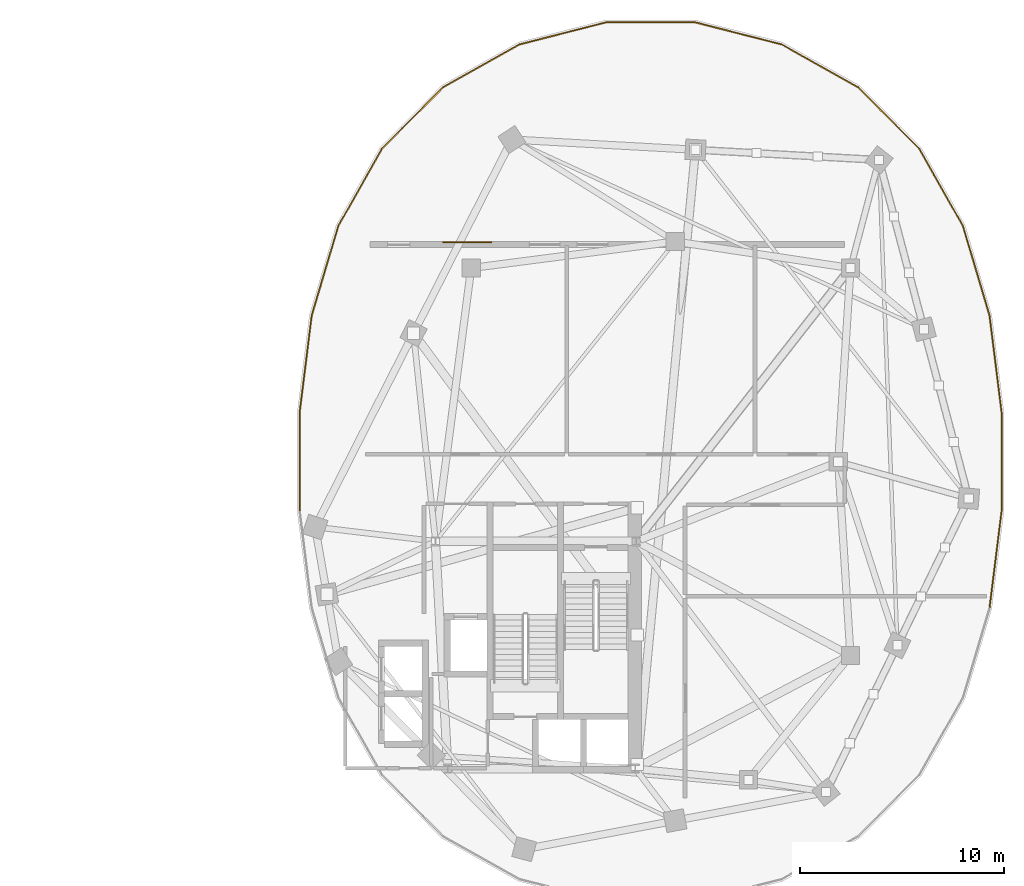
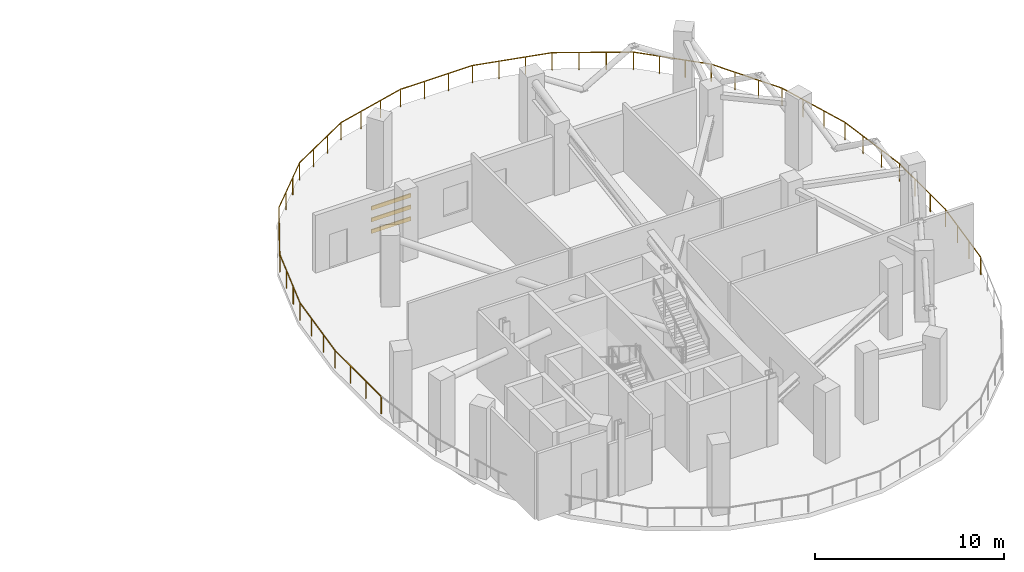
# One storey, part 14 of 14: 8 railings, 3 shading devices.
"""IFC4 building model written with IfcOpenShell, lengths in metres."""

from ifc_helpers import new_model, si_unit, direction, frame, origin, origin_2d, place, context, subcontext, project, spatial, rectangle, extrude, material, material_profile, profile_set, type_object, element, save


model = new_model("IFC4")

# Units and contexts
model_context = context("Model", 3, precision=1e-05, world=origin(), true_north=direction((0.0, 1.0)))
body_context = subcontext(model_context, "Body", "Model", "MODEL_VIEW")
ifc_project = project(units=[si_unit("LENGTHUNIT", "METRE"), si_unit("AREAUNIT", "SQUARE_METRE"), si_unit("VOLUMEUNIT", "CUBIC_METRE"), si_unit("PLANEANGLEUNIT", "RADIAN"), si_unit("MASSUNIT", "GRAM", prefix="KILO"), si_unit("THERMODYNAMICTEMPERATUREUNIT", "KELVIN"), si_unit("POWERUNIT", "WATT")], contexts=[model_context])

# Site, building, storey
site_placement = place(None, origin())
site = spatial("IfcSite", under=ifc_project, at=site_placement, CompositionType="ELEMENT")
building_placement = place(site_placement, origin())
building = spatial("IfcBuilding", under=site, at=building_placement, Name="Cundina Bronze Exchange", CompositionType="ELEMENT")
storey_placement = place(building_placement, frame((0.0, 0.0, 187.199951171875)))
storey = spatial("IfcBuildingStorey", under=building, at=storey_placement, Name="L49", CompositionType="ELEMENT", Elevation=187.199951171875)

# Railings
ifc_material = material(Name="Anodised Bronze Aluminium 6063-T6", Category="aluminium")
railing_type = type_object("IfcRailingType", Name="RLG-GRD-1150", PredefinedType="GUARDRAIL", material=ifc_material)
railing_1_placement = place(storey_placement, frame((49.208984375, 2.43359375, 0.0)))
element("IfcRailing", 1, at=railing_1_placement, inside=storey, type_object=railing_type, Name="L49 Perimeter Safety Guardrail 01", PredefinedType="GUARDRAIL", context=body_context, shape_type="SweptSolid", body=[
    extrude(rectangle(XDim=0.048095703125, YDim=0.048095703125, at=origin_2d()), frame((0.0, 0.0, 1.1259765625), z_axis=(0.0, -1.0, 0.0), x_axis=(1.0, 0.0, 0.0)), (0.0, 0.0, 1.0), 4.8671875),
    extrude(rectangle(XDim=0.048095703125, YDim=0.048095703125, at=origin_2d()), frame((0.0, -4.8671875, 1.1259765625), z_axis=(-0.123846086367, -0.992301439529, 0.0), x_axis=(0.992301439529, -0.123846086367, 0.0)), (0.0, 0.0, 1.0), 4.778564453125),
    extrude(rectangle(XDim=0.0419921875, YDim=0.0419921875, at=origin_2d()), origin(), (0.0, 0.0, 1.0), 1.101806640625),
    extrude(rectangle(XDim=0.0419921875, YDim=0.0419921875, at=origin_2d()), frame((0.0, -1.622314453125, 0.0)), (0.0, 0.0, 1.0), 1.101806640625),
    extrude(rectangle(XDim=0.0419921875, YDim=0.0419921875, at=origin_2d()), frame((0.0, -3.244873046875, 0.0)), (0.0, 0.0, 1.0), 1.101806640625),
    extrude(rectangle(XDim=0.0419921875, YDim=0.0419921875, at=origin_2d()), frame((0.0, -4.8671875, 0.0)), (0.0, 0.0, 1.0), 1.101806640625),
    extrude(rectangle(XDim=0.0419921875, YDim=0.0419921875, at=origin_2d()), frame((-0.197265625, -6.44775390625, 0.0)), (0.0, 0.0, 1.0), 1.101806640625),
    extrude(rectangle(XDim=0.0419921875, YDim=0.0419921875, at=origin_2d()), frame((-0.39453125, -8.0283203125, 0.0)), (0.0, 0.0, 1.0), 1.101806640625),
    extrude(rectangle(XDim=0.0419921875, YDim=0.0419921875, at=origin_2d()), frame((-0.591796875, -9.60888671875, 0.0)), (0.0, 0.0, 1.0), 1.101806640625),
])
railing_2_placement = place(storey_placement, frame((14.791015625, -2.43359375, 0.0)))
element("IfcRailing", 2, at=railing_2_placement, inside=storey, type_object=railing_type, Name="L49 Perimeter Safety Guardrail 08", PredefinedType="GUARDRAIL", context=body_context, shape_type="SweptSolid", body=[
    extrude(rectangle(XDim=0.048095703125, YDim=0.048095703125, at=origin_2d()), frame((0.0, 0.0, 1.1259765625), z_axis=(0.0, 1.0, 0.0), x_axis=(-1.0, 0.0, 0.0)), (0.0, 0.0, 1.0), 4.8671875),
    extrude(rectangle(XDim=0.048095703125, YDim=0.048095703125, at=origin_2d()), frame((0.0, 4.8671875, 1.1259765625), z_axis=(0.123846086367, 0.992301439529, 0.0), x_axis=(-0.992301439529, 0.123846086367, 0.0)), (0.0, 0.0, 1.0), 4.778564453125),
    extrude(rectangle(XDim=0.0419921875, YDim=0.0419921875, at=origin_2d()), origin(), (0.0, 0.0, 1.0), 1.101806640625),
    extrude(rectangle(XDim=0.0419921875, YDim=0.0419921875, at=origin_2d()), frame((0.0, 1.622314453125, 0.0)), (0.0, 0.0, 1.0), 1.101806640625),
    extrude(rectangle(XDim=0.0419921875, YDim=0.0419921875, at=origin_2d()), frame((0.0, 3.244873046875, 0.0)), (0.0, 0.0, 1.0), 1.101806640625),
    extrude(rectangle(XDim=0.0419921875, YDim=0.0419921875, at=origin_2d()), frame((0.0, 4.8671875, 0.0)), (0.0, 0.0, 1.0), 1.101806640625),
    extrude(rectangle(XDim=0.0419921875, YDim=0.0419921875, at=origin_2d()), frame((0.197265625, 6.44775390625, 0.0)), (0.0, 0.0, 1.0), 1.101806640625),
    extrude(rectangle(XDim=0.0419921875, YDim=0.0419921875, at=origin_2d()), frame((0.39453125, 8.0283203125, 0.0)), (0.0, 0.0, 1.0), 1.101806640625),
    extrude(rectangle(XDim=0.0419921875, YDim=0.0419921875, at=origin_2d()), frame((0.591796875, 9.60888671875, 0.0)), (0.0, 0.0, 1.0), 1.101806640625),
])
railing_3_placement = place(storey_placement, frame((15.3828125, 7.17529296875, 0.0)))
element("IfcRailing", 3, at=railing_3_placement, inside=storey, type_object=railing_type, Name="L49 Perimeter Safety Guardrail 09", PredefinedType="GUARDRAIL", context=body_context, shape_type="SweptSolid", body=[
    extrude(rectangle(XDim=0.048095703125, YDim=0.048095703125, at=origin_2d()), frame((0.0, 0.0, 1.1259765625), z_axis=(0.284864013169, 0.958567939168, 0.0), x_axis=(-0.958567939168, 0.284864013169, 0.0)), (0.0, 0.0, 1.0), 4.564697265625),
    extrude(rectangle(XDim=0.048095703125, YDim=0.048095703125, at=origin_2d()), frame((1.30029296875, 4.37548828125, 1.1259765625), z_axis=(0.491134584651, 0.871083704221, 0.0), x_axis=(-0.871083704221, 0.491134584651, 0.0)), (0.0, 0.0, 1.0), 4.35205078125),
    extrude(rectangle(XDim=0.0419921875, YDim=0.0419921875, at=origin_2d()), origin(), (0.0, 0.0, 1.0), 1.101806640625),
    extrude(rectangle(XDim=0.0419921875, YDim=0.0419921875, at=origin_2d()), frame((0.433349609375, 1.45849609375, 0.0)), (0.0, 0.0, 1.0), 1.101806640625),
    extrude(rectangle(XDim=0.0419921875, YDim=0.0419921875, at=origin_2d()), frame((0.866943359375, 2.9169921875, 0.0)), (0.0, 0.0, 1.0), 1.101806640625),
    extrude(rectangle(XDim=0.0419921875, YDim=0.0419921875, at=origin_2d()), frame((1.30029296875, 4.37548828125, 0.0)), (0.0, 0.0, 1.0), 1.101806640625),
    extrude(rectangle(XDim=0.0419921875, YDim=0.0419921875, at=origin_2d()), frame((2.0126953125, 5.63916015625, 0.0)), (0.0, 0.0, 1.0), 1.101806640625),
    extrude(rectangle(XDim=0.0419921875, YDim=0.0419921875, at=origin_2d()), frame((2.725341796875, 6.90283203125, 0.0)), (0.0, 0.0, 1.0), 1.101806640625),
    extrude(rectangle(XDim=0.0419921875, YDim=0.0419921875, at=origin_2d()), frame((3.437744140625, 8.16650390625, 0.0)), (0.0, 0.0, 1.0), 1.101806640625),
])
railing_4_placement = place(storey_placement, frame((18.820556640625, 15.341796875, 0.0)))
element("IfcRailing", 4, at=railing_4_placement, inside=storey, type_object=railing_type, Name="L49 Perimeter Safety Guardrail 10", PredefinedType="GUARDRAIL", context=body_context, shape_type="SweptSolid", body=[
    extrude(rectangle(XDim=0.048095703125, YDim=0.048095703125, at=origin_2d()), frame((0.0, 0.0, 1.1259765625), z_axis=(0.705213293252, 0.70899521227, 0.0), x_axis=(-0.70899521227, 0.705213293252, 0.0)), (0.0, 0.0, 1.0), 4.260498046875),
    extrude(rectangle(XDim=0.048095703125, YDim=0.048095703125, at=origin_2d()), frame((3.004638671875, 3.020751953125, 1.1259765625), z_axis=(0.871962493313, 0.48957268128, 0.0), x_axis=(-0.48957268128, 0.871962493313, 0.0)), (0.0, 0.0, 1.0), 4.293701171875),
    extrude(rectangle(XDim=0.0419921875, YDim=0.0419921875, at=origin_2d()), origin(), (0.0, 0.0, 1.0), 1.101806640625),
    extrude(rectangle(XDim=0.0419921875, YDim=0.0419921875, at=origin_2d()), frame((1.00146484375, 1.0068359375, 0.0)), (0.0, 0.0, 1.0), 1.101806640625),
    extrude(rectangle(XDim=0.0419921875, YDim=0.0419921875, at=origin_2d()), frame((2.003173828125, 2.013916015625, 0.0)), (0.0, 0.0, 1.0), 1.101806640625),
    extrude(rectangle(XDim=0.0419921875, YDim=0.0419921875, at=origin_2d()), frame((3.004638671875, 3.020751953125, 0.0)), (0.0, 0.0, 1.0), 1.101806640625),
    extrude(rectangle(XDim=0.0419921875, YDim=0.0419921875, at=origin_2d()), frame((4.252685546875, 3.721435546875, 0.0)), (0.0, 0.0, 1.0), 1.101806640625),
    extrude(rectangle(XDim=0.0419921875, YDim=0.0419921875, at=origin_2d()), frame((5.50048828125, 4.422119140625, 0.0)), (0.0, 0.0, 1.0), 1.101806640625),
    extrude(rectangle(XDim=0.0419921875, YDim=0.0419921875, at=origin_2d()), frame((6.74853515625, 5.122802734375, 0.0)), (0.0, 0.0, 1.0), 1.101806640625),
])
railing_5_placement = place(storey_placement, frame((25.569091796875, 20.464599609375, 0.0)))
element("IfcRailing", 5, at=railing_5_placement, inside=storey, type_object=railing_type, Name="L49 Perimeter Safety Guardrail 11", PredefinedType="GUARDRAIL", context=body_context, shape_type="SweptSolid", body=[
    extrude(rectangle(XDim=0.048095703125, YDim=0.048095703125, at=origin_2d()), frame((0.0, 0.0, 1.1259765625), z_axis=(0.969034209537, 0.246926508799, 0.0), x_axis=(-0.246926508799, 0.969034209537, 0.0)), (0.0, 0.0, 1.0), 4.3671875),
    extrude(rectangle(XDim=0.048095703125, YDim=0.048095703125, at=origin_2d()), frame((4.23193359375, 1.078369140625, 1.1259765625), z_axis=(1.0, 0.0, 0.0), x_axis=(0.0, 1.0, 0.0)), (0.0, 0.0, 1.0), 4.39794921875),
    extrude(rectangle(XDim=0.0419921875, YDim=0.0419921875, at=origin_2d()), origin(), (0.0, 0.0, 1.0), 1.101806640625),
    extrude(rectangle(XDim=0.0419921875, YDim=0.0419921875, at=origin_2d()), frame((1.41064453125, 0.359375, 0.0)), (0.0, 0.0, 1.0), 1.101806640625),
    extrude(rectangle(XDim=0.0419921875, YDim=0.0419921875, at=origin_2d()), frame((2.8212890625, 0.718994140625, 0.0)), (0.0, 0.0, 1.0), 1.101806640625),
    extrude(rectangle(XDim=0.0419921875, YDim=0.0419921875, at=origin_2d()), frame((4.23193359375, 1.078369140625, 0.0)), (0.0, 0.0, 1.0), 1.101806640625),
    extrude(rectangle(XDim=0.0419921875, YDim=0.0419921875, at=origin_2d()), frame((5.697998046875, 1.078369140625, 0.0)), (0.0, 0.0, 1.0), 1.101806640625),
    extrude(rectangle(XDim=0.0419921875, YDim=0.0419921875, at=origin_2d()), frame((7.163818359375, 1.078369140625, 0.0)), (0.0, 0.0, 1.0), 1.101806640625),
    extrude(rectangle(XDim=0.0419921875, YDim=0.0419921875, at=origin_2d()), frame((8.6298828125, 1.078369140625, 0.0)), (0.0, 0.0, 1.0), 1.101806640625),
])
railing_6_placement = place(storey_placement, frame((34.198974609375, 21.54296875, 0.0)))
element("IfcRailing", 6, at=railing_6_placement, inside=storey, type_object=railing_type, Name="L49 Perimeter Safety Guardrail 12", PredefinedType="GUARDRAIL", context=body_context, shape_type="SweptSolid", body=[
    extrude(rectangle(XDim=0.048095703125, YDim=0.048095703125, at=origin_2d()), frame((0.0, 0.0, 1.1259765625), z_axis=(0.969034209537, -0.246926508799, 0.0), x_axis=(0.246926508799, 0.969034209537, 0.0)), (0.0, 0.0, 1.0), 4.3671875),
    extrude(rectangle(XDim=0.048095703125, YDim=0.048095703125, at=origin_2d()), frame((4.23193359375, -1.078369140625, 1.1259765625), z_axis=(0.871962493313, -0.48957268128, 0.0), x_axis=(0.48957268128, 0.871962493313, 0.0)), (0.0, 0.0, 1.0), 4.293701171875),
    extrude(rectangle(XDim=0.0419921875, YDim=0.0419921875, at=origin_2d()), origin(), (0.0, 0.0, 1.0), 1.101806640625),
    extrude(rectangle(XDim=0.0419921875, YDim=0.0419921875, at=origin_2d()), frame((1.41064453125, -0.359375, 0.0)), (0.0, 0.0, 1.0), 1.101806640625),
    extrude(rectangle(XDim=0.0419921875, YDim=0.0419921875, at=origin_2d()), frame((2.8212890625, -0.718994140625, 0.0)), (0.0, 0.0, 1.0), 1.101806640625),
    extrude(rectangle(XDim=0.0419921875, YDim=0.0419921875, at=origin_2d()), frame((4.23193359375, -1.078369140625, 0.0)), (0.0, 0.0, 1.0), 1.101806640625),
    extrude(rectangle(XDim=0.0419921875, YDim=0.0419921875, at=origin_2d()), frame((5.47998046875, -1.779052734375, 0.0)), (0.0, 0.0, 1.0), 1.101806640625),
    extrude(rectangle(XDim=0.0419921875, YDim=0.0419921875, at=origin_2d()), frame((6.727783203125, -2.479736328125, 0.0)), (0.0, 0.0, 1.0), 1.101806640625),
    extrude(rectangle(XDim=0.0419921875, YDim=0.0419921875, at=origin_2d()), frame((7.975830078125, -3.180419921875, 0.0)), (0.0, 0.0, 1.0), 1.101806640625),
])
railing_7_placement = place(storey_placement, frame((42.1748046875, 18.362548828125, 0.0)))
element("IfcRailing", 7, at=railing_7_placement, inside=storey, type_object=railing_type, Name="L49 Perimeter Safety Guardrail 13", PredefinedType="GUARDRAIL", context=body_context, shape_type="SweptSolid", body=[
    extrude(rectangle(XDim=0.048095703125, YDim=0.048095703125, at=origin_2d()), frame((0.0, 0.0, 1.1259765625), z_axis=(0.705213293252, -0.70899521227, 0.0), x_axis=(0.70899521227, 0.705213293252, 0.0)), (0.0, 0.0, 1.0), 4.260498046875),
    extrude(rectangle(XDim=0.048095703125, YDim=0.048095703125, at=origin_2d()), frame((3.004638671875, -3.020751953125, 1.1259765625), z_axis=(0.491134584651, -0.871083704221, 0.0), x_axis=(0.871083704221, 0.491134584651, 0.0)), (0.0, 0.0, 1.0), 4.35205078125),
    extrude(rectangle(XDim=0.0419921875, YDim=0.0419921875, at=origin_2d()), origin(), (0.0, 0.0, 1.0), 1.101806640625),
    extrude(rectangle(XDim=0.0419921875, YDim=0.0419921875, at=origin_2d()), frame((1.00146484375, -1.0068359375, 0.0)), (0.0, 0.0, 1.0), 1.101806640625),
    extrude(rectangle(XDim=0.0419921875, YDim=0.0419921875, at=origin_2d()), frame((2.003173828125, -2.013916015625, 0.0)), (0.0, 0.0, 1.0), 1.101806640625),
    extrude(rectangle(XDim=0.0419921875, YDim=0.0419921875, at=origin_2d()), frame((3.004638671875, -3.020751953125, 0.0)), (0.0, 0.0, 1.0), 1.101806640625),
    extrude(rectangle(XDim=0.0419921875, YDim=0.0419921875, at=origin_2d()), frame((3.717041015625, -4.284423828125, 0.0)), (0.0, 0.0, 1.0), 1.101806640625),
    extrude(rectangle(XDim=0.0419921875, YDim=0.0419921875, at=origin_2d()), frame((4.4296875, -5.548095703125, 0.0)), (0.0, 0.0, 1.0), 1.101806640625),
    extrude(rectangle(XDim=0.0419921875, YDim=0.0419921875, at=origin_2d()), frame((5.14208984375, -6.811767578125, 0.0)), (0.0, 0.0, 1.0), 1.101806640625),
])
railing_8_placement = place(storey_placement, frame((47.31689453125, 11.55078125, 0.0)))
element("IfcRailing", 8, at=railing_8_placement, inside=storey, type_object=railing_type, Name="L49 Perimeter Safety Guardrail 14", PredefinedType="GUARDRAIL", context=body_context, shape_type="SweptSolid", body=[
    extrude(rectangle(XDim=0.048095703125, YDim=0.048095703125, at=origin_2d()), frame((0.0, 0.0, 1.1259765625), z_axis=(0.284864013169, -0.958567939168, 0.0), x_axis=(0.958567939168, 0.284864013169, 0.0)), (0.0, 0.0, 1.0), 4.564697265625),
    extrude(rectangle(XDim=0.048095703125, YDim=0.048095703125, at=origin_2d()), frame((1.30029296875, -4.37548828125, 1.1259765625), z_axis=(0.123846086367, -0.992301439529, 0.0), x_axis=(0.992301439529, 0.123846086367, 0.0)), (0.0, 0.0, 1.0), 4.778564453125),
    extrude(rectangle(XDim=0.0419921875, YDim=0.0419921875, at=origin_2d()), origin(), (0.0, 0.0, 1.0), 1.101806640625),
    extrude(rectangle(XDim=0.0419921875, YDim=0.0419921875, at=origin_2d()), frame((0.433349609375, -1.45849609375, 0.0)), (0.0, 0.0, 1.0), 1.101806640625),
    extrude(rectangle(XDim=0.0419921875, YDim=0.0419921875, at=origin_2d()), frame((0.866943359375, -2.9169921875, 0.0)), (0.0, 0.0, 1.0), 1.101806640625),
    extrude(rectangle(XDim=0.0419921875, YDim=0.0419921875, at=origin_2d()), frame((1.30029296875, -4.37548828125, 0.0)), (0.0, 0.0, 1.0), 1.101806640625),
    extrude(rectangle(XDim=0.0419921875, YDim=0.0419921875, at=origin_2d()), frame((1.49755859375, -5.9560546875, 0.0)), (0.0, 0.0, 1.0), 1.101806640625),
    extrude(rectangle(XDim=0.0419921875, YDim=0.0419921875, at=origin_2d()), frame((1.69482421875, -7.53662109375, 0.0)), (0.0, 0.0, 1.0), 1.101806640625),
    extrude(rectangle(XDim=0.0419921875, YDim=0.0419921875, at=origin_2d()), frame((1.89208984375, -9.1171875, 0.0)), (0.0, 0.0, 1.0), 1.101806640625),
])

# Shading devices
ifc_material_profile = material_profile(ifc_material, rectangle(XDim=0.06005859375, YDim=0.25, at=origin_2d()), Name="LVR60X250", Category="aluminium")
ifc_profile_set = profile_set([ifc_material_profile], Name="Anodised Bronze Aluminium 6063-T6")
shading_device_type = type_object("IfcShadingDeviceType", Name="SHD-LVR-BRZ250", PredefinedType="JALOUSIE", material=ifc_profile_set)
for number, where, z_axis, x_axis, name in (
    (9, (21.800048828125, 10.760009765625, 1.300048828125), (1.0, 0.0, 0.0), (0.0, 1.0, 0.0), "L49 Leg E Plant Intake Jalousie Louvre 1"),
    (10, (21.800048828125, 10.760009765625, 2.050048828125), (1.0, 0.0, 0.0), (0.0, 1.0, 0.0), "L49 Leg E Plant Intake Jalousie Louvre 2"),
    (11, (21.800048828125, 10.760009765625, 2.800048828125), (1.0, 0.0, 0.0), (0.0, 1.0, 0.0), "L49 Leg E Plant Intake Jalousie Louvre 3"),
):
    element("IfcShadingDevice", number, at=place(storey_placement, frame(where, z_axis=z_axis, x_axis=x_axis)), inside=storey, type_object=shading_device_type, Name=name, PredefinedType="JALOUSIE", context=body_context, shape_type="SweptSolid", body=[
        extrude(rectangle(XDim=0.06005859375, YDim=0.25, at=origin_2d()), origin(), (0.0, 0.0, 1.0), 2.39990234375),
    ])

save(model, "model.ifc")
